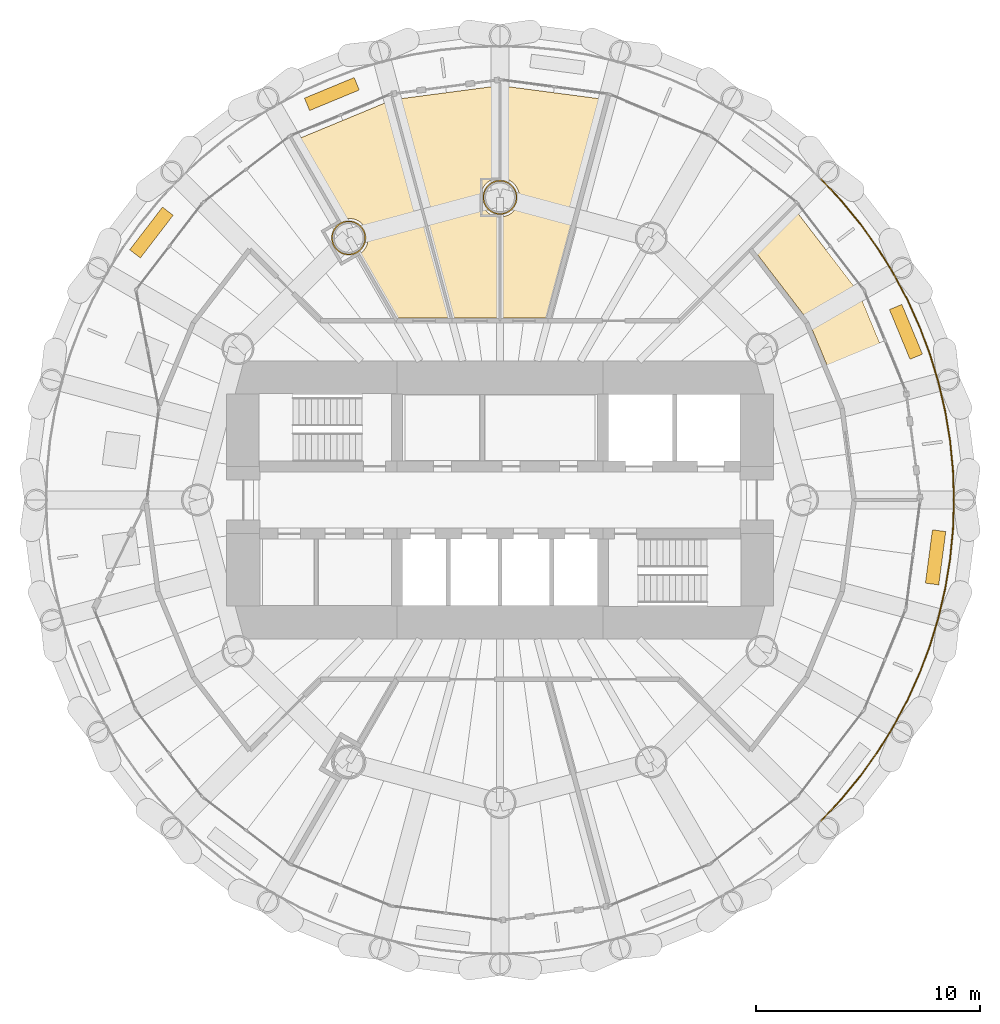
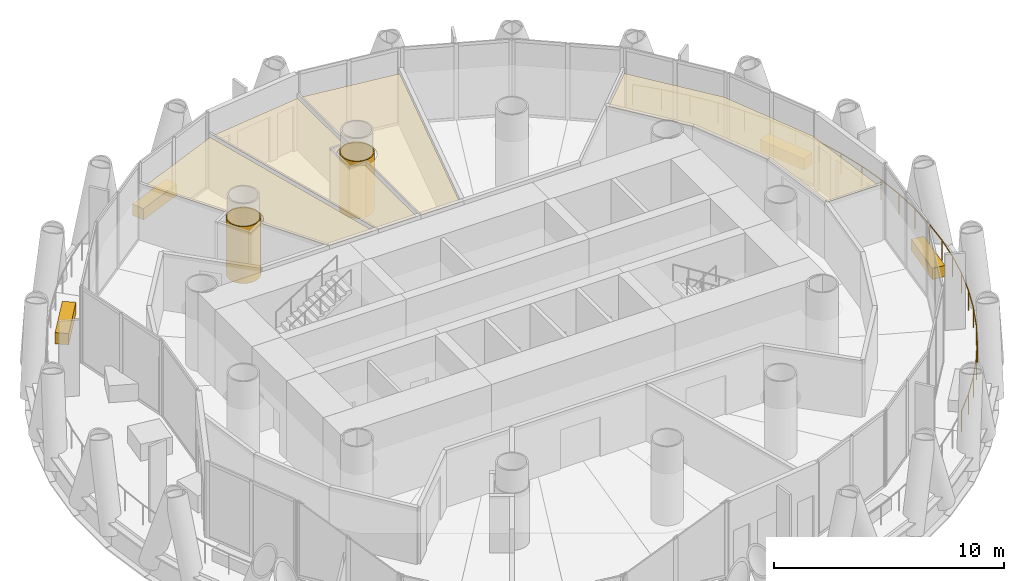
# One storey, part 14 of 15: 10 coverings, 1 railing.
"""IFC4 building model written with IfcOpenShell, lengths in metres."""

from ifc_helpers import new_model, si_unit, direction, frame, origin, origin_2d, place, context, subcontext, project, spatial, polyline, rectangle, circle, outline, extrude, material, layer, layer_set, type_object, element, save


model = new_model("IFC4")

# Units and contexts
model_context = context("Model", 3, precision=1e-05, world=origin(), true_north=direction((0.0, 1.0)))
body_context = subcontext(model_context, "Body", "Model", "MODEL_VIEW")
ifc_project = project(units=[si_unit("LENGTHUNIT", "METRE"), si_unit("AREAUNIT", "SQUARE_METRE"), si_unit("VOLUMEUNIT", "CUBIC_METRE"), si_unit("PLANEANGLEUNIT", "RADIAN"), si_unit("MASSUNIT", "GRAM", prefix="KILO")], contexts=[model_context])

# Site, building, storey
site_placement = place(None, origin())
site = spatial("IfcSite", under=ifc_project, at=site_placement, CompositionType="ELEMENT")
building_placement = place(site_placement, origin())
building = spatial("IfcBuilding", under=site, at=building_placement, Name="Qaws Media Tower", CompositionType="ELEMENT")
storey_placement = place(building_placement, frame((0.0, 0.0, 273.800048828125)))
storey = spatial("IfcBuildingStorey", under=building, at=storey_placement, Name="L63", CompositionType="ELEMENT", Elevation=273.800048828125)

# Covering
ifc_material_1 = material(Name="40 perforated acoustic panels with mineral wool backing, suspended", Category="mineral fibre")
ifc_layer_1 = layer(ifc_material_1, 0.0400390625)
ifc_layer_set_1 = layer_set([ifc_layer_1], Name="Acoustic panel ceiling 40")
covering_type_1 = type_object("IfcCoveringType", Name="Acoustic panel ceiling 40", PredefinedType="CEILING", material=ifc_layer_set_1)
covering_1_placement = place(storey_placement, frame((0.0, 0.0, 2.849853515625)))
element("IfcCovering", 1, at=covering_1_placement, inside=storey, type_object=covering_type_1, Name="CL3 ceiling L63-02 Boardroom", PredefinedType="CEILING", context=body_context, shape_type="SweptSolid", body=[
    extrude(outline(polyline([(76.0087890625, 59.24267578125), (77.85546875, 54.7841796875), (78.470458984375, 50.112548828125), (75.898681640625, 50.112548828125), (75.37109375, 54.11865234375), (73.781494140625, 57.956787109375), (71.321533203125, 61.16259765625), (73.14013671875, 62.98095703125), (76.0087890625, 59.24267578125)])), origin(), (0.0, 0.0, 1.0), 0.0400390625),
])

# Railing
ifc_material_2 = material(Name="Stainless steel and glass guard", Category="steel")
railing_type = type_object("IfcRailingType", Name="Balcony guard 1100", PredefinedType="GUARDRAIL", material=ifc_material_2)
railing_placement = place(storey_placement, frame((74.31884765625, 35.68115234375, 0.0)))
element("IfcRailing", 2, at=railing_placement, inside=storey, type_object=railing_type, Name="GR1 balcony guard L63-4", PredefinedType="GUARDRAIL", context=body_context, shape_type="SweptSolid", body=[
    extrude(circle(Radius=0.02392578125, at=origin_2d()), frame((0.0, 0.0, 1.076171875), z_axis=(0.683702082512, 0.729761236548, 0.0), x_axis=(-0.729761236548, 0.683702082512, 0.0)), (0.0, 0.0, 1.0), 1.3251953125),
    extrude(circle(Radius=0.02392578125, at=origin_2d()), frame((0.906005859375, 0.967041015625, 1.076171875), z_axis=(0.634330728024, 0.773061787624, 0.0), x_axis=(-0.773061787624, 0.634330728024, 0.0)), (0.0, 0.0, 1.0), 1.3251953125),
    extrude(circle(Radius=0.02392578125, at=origin_2d()), frame((1.74658203125, 1.991455078125, 1.076171875), z_axis=(0.582405323972, 0.812898541399, 0.0), x_axis=(-0.812898541399, 0.582405323972, 0.0)), (0.0, 0.0, 1.0), 1.324951171875),
    extrude(circle(Radius=0.02392578125, at=origin_2d()), frame((2.518310546875, 3.068603515625, 1.076171875), z_axis=(0.52819268128, 0.849124544129, 0.0), x_axis=(-0.849124544129, 0.52819268128, 0.0)), (0.0, 0.0, 1.0), 1.3251953125),
    extrude(circle(Radius=0.02392578125, at=origin_2d()), frame((3.21826171875, 4.19384765625, 1.076171875), z_axis=(0.471295733288, 0.881975244429, 0.0), x_axis=(-0.881975244429, 0.471295733288, 0.0)), (0.0, 0.0, 1.0), 1.3251953125),
    extrude(circle(Radius=0.02392578125, at=origin_2d()), frame((3.8427734375, 5.362548828125, 1.076171875), z_axis=(0.412692163403, 0.910870560654, 0.0), x_axis=(-0.910870560654, 0.412692163403, 0.0)), (0.0, 0.0, 1.0), 1.3251953125),
    extrude(circle(Radius=0.02392578125, at=origin_2d()), frame((4.3896484375, 6.569580078125, 1.076171875), z_axis=(0.352253822045, 0.935904506269, 0.0), x_axis=(-0.935904506269, 0.352253822045, 0.0)), (0.0, 0.0, 1.0), 1.3251953125),
    extrude(circle(Radius=0.02392578125, at=origin_2d()), frame((4.8564453125, 7.809814453125, 1.076171875), z_axis=(0.290355083771, 0.956918975321, 0.0), x_axis=(-0.956918975321, 0.290355083771, 0.0)), (0.0, 0.0, 1.0), 1.3251953125),
    extrude(circle(Radius=0.02392578125, at=origin_2d()), frame((5.2412109375, 9.077880859375, 1.076171875), z_axis=(0.227025724606, 0.973888761804, 0.0), x_axis=(-0.973888761804, 0.227025724606, 0.0)), (0.0, 0.0, 1.0), 1.324951171875),
    extrude(circle(Radius=0.02392578125, at=origin_2d()), frame((5.5419921875, 10.3681640625, 1.076171875), z_axis=(0.162845409119, 0.986651596425, 0.0), x_axis=(-0.986651596425, 0.162845409119, 0.0)), (0.0, 0.0, 1.0), 1.3251953125),
    extrude(circle(Radius=0.02392578125, at=origin_2d()), frame((5.7578125, 11.67578125, 1.076171875), z_axis=(0.098025887106, 0.995183865151, 0.0), x_axis=(-0.995183865151, 0.098025887106, 0.0)), (0.0, 0.0, 1.0), 1.324951171875),
    extrude(circle(Radius=0.02392578125, at=origin_2d()), frame((5.8876953125, 12.994384765625, 1.076171875), z_axis=(0.032793412525, 0.999462151407, 0.0), x_axis=(-0.999462151407, 0.032793412525, 0.0)), (0.0, 0.0, 1.0), 1.3251953125),
    extrude(circle(Radius=0.02392578125, at=origin_2d()), frame((5.93115234375, 14.31884765625, 1.076171875), z_axis=(-0.032793412525, 0.999462151407, 0.0), x_axis=(-0.999462151407, -0.032793412525, 0.0)), (0.0, 0.0, 1.0), 1.3251953125),
    extrude(circle(Radius=0.02392578125, at=origin_2d()), frame((5.8876953125, 15.643310546875, 1.076171875), z_axis=(-0.098025887106, 0.995183865151, 0.0), x_axis=(-0.995183865151, -0.098025887106, 0.0)), (0.0, 0.0, 1.0), 1.324951171875),
    extrude(circle(Radius=0.02392578125, at=origin_2d()), frame((5.7578125, 16.9619140625, 1.076171875), z_axis=(-0.162845409119, 0.986651596425, 0.0), x_axis=(-0.986651596425, -0.162845409119, 0.0)), (0.0, 0.0, 1.0), 1.3251953125),
    extrude(circle(Radius=0.02392578125, at=origin_2d()), frame((5.5419921875, 18.26953125, 1.076171875), z_axis=(-0.227025724606, 0.973888761804, 0.0), x_axis=(-0.973888761804, -0.227025724606, 0.0)), (0.0, 0.0, 1.0), 1.324951171875),
    extrude(circle(Radius=0.02392578125, at=origin_2d()), frame((5.2412109375, 19.559814453125, 1.076171875), z_axis=(-0.290355083771, 0.956918975321, 0.0), x_axis=(-0.956918975321, -0.290355083771, 0.0)), (0.0, 0.0, 1.0), 1.3251953125),
    extrude(circle(Radius=0.02392578125, at=origin_2d()), frame((4.8564453125, 20.827880859375, 1.076171875), z_axis=(-0.352253822045, 0.935904506269, 0.0), x_axis=(-0.935904506269, -0.352253822045, 0.0)), (0.0, 0.0, 1.0), 1.3251953125),
    extrude(circle(Radius=0.02392578125, at=origin_2d()), frame((4.3896484375, 22.068115234375, 1.076171875), z_axis=(-0.412692163403, 0.910870560654, 0.0), x_axis=(-0.910870560654, -0.412692163403, 0.0)), (0.0, 0.0, 1.0), 1.3251953125),
    extrude(circle(Radius=0.02392578125, at=origin_2d()), frame((3.8427734375, 23.275146484375, 1.076171875), z_axis=(-0.471295733288, 0.881975244429, 0.0), x_axis=(-0.881975244429, -0.471295733288, 0.0)), (0.0, 0.0, 1.0), 1.3251953125),
    extrude(circle(Radius=0.02392578125, at=origin_2d()), frame((3.21826171875, 24.44384765625, 1.076171875), z_axis=(-0.52819268128, 0.849124544129, 0.0), x_axis=(-0.849124544129, -0.52819268128, 0.0)), (0.0, 0.0, 1.0), 1.3251953125),
    extrude(circle(Radius=0.02392578125, at=origin_2d()), frame((2.518310546875, 25.569091796875, 1.076171875), z_axis=(-0.582405323972, 0.812898541399, 0.0), x_axis=(-0.812898541399, -0.582405323972, 0.0)), (0.0, 0.0, 1.0), 1.324951171875),
    extrude(circle(Radius=0.02392578125, at=origin_2d()), frame((1.74658203125, 26.646240234375, 1.076171875), z_axis=(-0.634330728024, 0.773061787624, 0.0), x_axis=(-0.773061787624, -0.634330728024, 0.0)), (0.0, 0.0, 1.0), 1.3251953125),
    extrude(circle(Radius=0.02392578125, at=origin_2d()), frame((0.906005859375, 27.670654296875, 1.076171875), z_axis=(-0.683702082512, 0.729761236548, 0.0), x_axis=(-0.729761236548, -0.683702082512, 0.0)), (0.0, 0.0, 1.0), 1.3251953125),
    extrude(circle(Radius=0.02099609375, at=origin_2d()), origin(), (0.0, 0.0, 1.0), 1.052001953125),
    extrude(circle(Radius=0.02099609375, at=origin_2d()), frame((0.906005859375, 0.967041015625, 0.0)), (0.0, 0.0, 1.0), 1.052001953125),
    extrude(circle(Radius=0.02099609375, at=origin_2d()), frame((1.74658203125, 1.991455078125, 0.0)), (0.0, 0.0, 1.0), 1.052001953125),
    extrude(circle(Radius=0.02099609375, at=origin_2d()), frame((2.518310546875, 3.068603515625, 0.0)), (0.0, 0.0, 1.0), 1.052001953125),
    extrude(circle(Radius=0.02099609375, at=origin_2d()), frame((3.21826171875, 4.19384765625, 0.0)), (0.0, 0.0, 1.0), 1.052001953125),
    extrude(circle(Radius=0.02099609375, at=origin_2d()), frame((3.8427734375, 5.362548828125, 0.0)), (0.0, 0.0, 1.0), 1.052001953125),
    extrude(circle(Radius=0.02099609375, at=origin_2d()), frame((4.3896484375, 6.569580078125, 0.0)), (0.0, 0.0, 1.0), 1.052001953125),
    extrude(circle(Radius=0.02099609375, at=origin_2d()), frame((4.8564453125, 7.809814453125, 0.0)), (0.0, 0.0, 1.0), 1.052001953125),
    extrude(circle(Radius=0.02099609375, at=origin_2d()), frame((5.2412109375, 9.077880859375, 0.0)), (0.0, 0.0, 1.0), 1.052001953125),
    extrude(circle(Radius=0.02099609375, at=origin_2d()), frame((5.5419921875, 10.3681640625, 0.0)), (0.0, 0.0, 1.0), 1.052001953125),
    extrude(circle(Radius=0.02099609375, at=origin_2d()), frame((5.7578125, 11.67578125, 0.0)), (0.0, 0.0, 1.0), 1.052001953125),
    extrude(circle(Radius=0.02099609375, at=origin_2d()), frame((5.8876953125, 12.994384765625, 0.0)), (0.0, 0.0, 1.0), 1.052001953125),
    extrude(circle(Radius=0.02099609375, at=origin_2d()), frame((5.93115234375, 14.31884765625, 0.0)), (0.0, 0.0, 1.0), 1.052001953125),
    extrude(circle(Radius=0.02099609375, at=origin_2d()), frame((5.8876953125, 15.643310546875, 0.0)), (0.0, 0.0, 1.0), 1.052001953125),
    extrude(circle(Radius=0.02099609375, at=origin_2d()), frame((5.7578125, 16.9619140625, 0.0)), (0.0, 0.0, 1.0), 1.052001953125),
    extrude(circle(Radius=0.02099609375, at=origin_2d()), frame((5.5419921875, 18.26953125, 0.0)), (0.0, 0.0, 1.0), 1.052001953125),
    extrude(circle(Radius=0.02099609375, at=origin_2d()), frame((5.2412109375, 19.559814453125, 0.0)), (0.0, 0.0, 1.0), 1.052001953125),
    extrude(circle(Radius=0.02099609375, at=origin_2d()), frame((4.8564453125, 20.827880859375, 0.0)), (0.0, 0.0, 1.0), 1.052001953125),
    extrude(circle(Radius=0.02099609375, at=origin_2d()), frame((4.3896484375, 22.068115234375, 0.0)), (0.0, 0.0, 1.0), 1.052001953125),
    extrude(circle(Radius=0.02099609375, at=origin_2d()), frame((3.8427734375, 23.275146484375, 0.0)), (0.0, 0.0, 1.0), 1.052001953125),
    extrude(circle(Radius=0.02099609375, at=origin_2d()), frame((3.21826171875, 24.44384765625, 0.0)), (0.0, 0.0, 1.0), 1.052001953125),
    extrude(circle(Radius=0.02099609375, at=origin_2d()), frame((2.518310546875, 25.569091796875, 0.0)), (0.0, 0.0, 1.0), 1.052001953125),
    extrude(circle(Radius=0.02099609375, at=origin_2d()), frame((1.74658203125, 26.646240234375, 0.0)), (0.0, 0.0, 1.0), 1.052001953125),
    extrude(circle(Radius=0.02099609375, at=origin_2d()), frame((0.906005859375, 27.670654296875, 0.0)), (0.0, 0.0, 1.0), 1.052001953125),
    extrude(circle(Radius=0.02099609375, at=origin_2d()), frame((0.0, 28.6376953125, 0.0)), (0.0, 0.0, 1.0), 1.052001953125),
])

# Coverings
ifc_material_3 = material(Name="Two layers 15 fire-rated gypsum board on steel framing", Category="steel")
ifc_layer_2 = layer(ifc_material_3, 0.050048828125)
ifc_layer_set_2 = layer_set([ifc_layer_2], Name="Column fire casing")
covering_type_2 = type_object("IfcCoveringType", Name="Column fire casing", PredefinedType="CLADDING", material=ifc_layer_set_2)
covering_2_placement = place(storey_placement, origin())
element("IfcCovering", 3, at=covering_2_placement, inside=storey, type_object=covering_type_2, Name="CC1 column casing L63", PredefinedType="CLADDING", context=body_context, shape_type="SweptSolid", body=[
    extrude(outline(polyline([(60.76611328125, 63.5), (60.759521484375, 63.39990234375), (60.739990234375, 63.3017578125), (60.707763671875, 63.206787109375), (60.663330078125, 63.116943359375), (60.607666015625, 63.03369140625), (60.54150390625, 62.95849609375), (60.46630859375, 62.892333984375), (60.383056640625, 62.836669921875), (60.293212890625, 62.792236328125), (60.1982421875, 62.760009765625), (60.10009765625, 62.740478515625), (60.0, 62.73388671875), (59.89990234375, 62.740478515625), (59.8017578125, 62.760009765625), (59.706787109375, 62.792236328125), (59.616943359375, 62.836669921875), (59.53369140625, 62.892333984375), (59.45849609375, 62.95849609375), (59.392333984375, 63.03369140625), (59.336669921875, 63.116943359375), (59.292236328125, 63.206787109375), (59.260009765625, 63.3017578125), (59.240478515625, 63.39990234375), (59.23388671875, 63.5), (59.240478515625, 63.60009765625), (59.260009765625, 63.6982421875), (59.292236328125, 63.793212890625), (59.336669921875, 63.883056640625), (59.392333984375, 63.96630859375), (59.45849609375, 64.04150390625), (59.53369140625, 64.107666015625), (59.616943359375, 64.163330078125), (59.706787109375, 64.207763671875), (59.8017578125, 64.239990234375), (59.89990234375, 64.259521484375), (60.0, 64.26611328125), (60.10009765625, 64.259521484375), (60.1982421875, 64.239990234375), (60.293212890625, 64.207763671875), (60.383056640625, 64.163330078125), (60.46630859375, 64.107666015625), (60.54150390625, 64.04150390625), (60.607666015625, 63.96630859375), (60.663330078125, 63.883056640625), (60.707763671875, 63.793212890625), (60.739990234375, 63.6982421875), (60.759521484375, 63.60009765625), (60.76611328125, 63.5)]), holes=[polyline([(60.714111328125, 63.5), (60.7080078125, 63.40673828125), (60.689697265625, 63.315185546875), (60.65966796875, 63.226806640625), (60.618408203125, 63.14306640625), (60.56640625, 63.065185546875), (60.5048828125, 62.9951171875), (60.434814453125, 62.93359375), (60.35693359375, 62.881591796875), (60.273193359375, 62.84033203125), (60.184814453125, 62.810302734375), (60.09326171875, 62.7919921875), (60.0, 62.785888671875), (59.90673828125, 62.7919921875), (59.815185546875, 62.810302734375), (59.726806640625, 62.84033203125), (59.64306640625, 62.881591796875), (59.565185546875, 62.93359375), (59.4951171875, 62.9951171875), (59.43359375, 63.065185546875), (59.381591796875, 63.14306640625), (59.34033203125, 63.226806640625), (59.310302734375, 63.315185546875), (59.2919921875, 63.40673828125), (59.285888671875, 63.5), (59.2919921875, 63.59326171875), (59.310302734375, 63.684814453125), (59.34033203125, 63.773193359375), (59.381591796875, 63.85693359375), (59.43359375, 63.934814453125), (59.4951171875, 64.0048828125), (59.565185546875, 64.06640625), (59.64306640625, 64.118408203125), (59.726806640625, 64.15966796875), (59.815185546875, 64.189697265625), (59.90673828125, 64.2080078125), (60.0, 64.214111328125), (60.09326171875, 64.2080078125), (60.184814453125, 64.189697265625), (60.273193359375, 64.15966796875), (60.35693359375, 64.118408203125), (60.434814453125, 64.06640625), (60.5048828125, 64.0048828125), (60.56640625, 63.934814453125), (60.618408203125, 63.85693359375), (60.65966796875, 63.773193359375), (60.689697265625, 63.684814453125), (60.7080078125, 63.59326171875), (60.714111328125, 63.5)])]), origin(), (0.0, 0.0, 1.0), 3.02001953125),
])
covering_3_placement = place(storey_placement, origin())
element("IfcCovering", 4, at=covering_3_placement, inside=storey, type_object=covering_type_2, Name="CC1 column casing L63", PredefinedType="CLADDING", context=body_context, shape_type="SweptSolid", body=[
    extrude(outline(polyline([(54.01611328125, 61.69140625), (54.009521484375, 61.59130859375), (53.989990234375, 61.4931640625), (53.957763671875, 61.398193359375), (53.913330078125, 61.308349609375), (53.857666015625, 61.22509765625), (53.79150390625, 61.149658203125), (53.71630859375, 61.08349609375), (53.633056640625, 61.028076171875), (53.543212890625, 60.983642578125), (53.4482421875, 60.951416015625), (53.35009765625, 60.931884765625), (53.25, 60.92529296875), (53.14990234375, 60.931884765625), (53.0517578125, 60.951416015625), (52.956787109375, 60.983642578125), (52.866943359375, 61.028076171875), (52.78369140625, 61.08349609375), (52.70849609375, 61.149658203125), (52.642333984375, 61.22509765625), (52.586669921875, 61.308349609375), (52.542236328125, 61.398193359375), (52.510009765625, 61.4931640625), (52.490478515625, 61.59130859375), (52.48388671875, 61.69140625), (52.490478515625, 61.791259765625), (52.510009765625, 61.8896484375), (52.542236328125, 61.984619140625), (52.586669921875, 62.07421875), (52.642333984375, 62.15771484375), (52.70849609375, 62.23291015625), (52.78369140625, 62.299072265625), (52.866943359375, 62.354736328125), (52.956787109375, 62.39892578125), (53.0517578125, 62.43115234375), (53.14990234375, 62.45068359375), (53.25, 62.457275390625), (53.35009765625, 62.45068359375), (53.4482421875, 62.43115234375), (53.543212890625, 62.39892578125), (53.633056640625, 62.354736328125), (53.71630859375, 62.299072265625), (53.79150390625, 62.23291015625), (53.857666015625, 62.15771484375), (53.913330078125, 62.07421875), (53.957763671875, 61.984619140625), (53.989990234375, 61.8896484375), (54.009521484375, 61.791259765625), (54.01611328125, 61.69140625)]), holes=[polyline([(53.964111328125, 61.69140625), (53.9580078125, 61.59814453125), (53.939697265625, 61.506591796875), (53.90966796875, 61.418212890625), (53.868408203125, 61.334228515625), (53.81640625, 61.256591796875), (53.7548828125, 61.1865234375), (53.684814453125, 61.125), (53.60693359375, 61.072998046875), (53.523193359375, 61.03173828125), (53.434814453125, 61.001708984375), (53.34326171875, 60.9833984375), (53.25, 60.977294921875), (53.15673828125, 60.9833984375), (53.065185546875, 61.001708984375), (52.976806640625, 61.03173828125), (52.89306640625, 61.072998046875), (52.815185546875, 61.125), (52.7451171875, 61.1865234375), (52.68359375, 61.256591796875), (52.631591796875, 61.334228515625), (52.59033203125, 61.418212890625), (52.560302734375, 61.506591796875), (52.5419921875, 61.59814453125), (52.535888671875, 61.69140625), (52.5419921875, 61.784423828125), (52.560302734375, 61.876220703125), (52.59033203125, 61.964599609375), (52.631591796875, 62.04833984375), (52.68359375, 62.1259765625), (52.7451171875, 62.1962890625), (52.815185546875, 62.2578125), (52.89306640625, 62.309814453125), (52.976806640625, 62.35107421875), (53.065185546875, 62.381103515625), (53.15673828125, 62.399169921875), (53.25, 62.4052734375), (53.34326171875, 62.399169921875), (53.434814453125, 62.381103515625), (53.523193359375, 62.35107421875), (53.60693359375, 62.309814453125), (53.684814453125, 62.2578125), (53.7548828125, 62.1962890625), (53.81640625, 62.1259765625), (53.868408203125, 62.04833984375), (53.90966796875, 61.964599609375), (53.939697265625, 61.876220703125), (53.9580078125, 61.784423828125), (53.964111328125, 61.69140625)])]), origin(), (0.0, 0.0, 1.0), 3.02001953125),
])
ifc_material_4 = material(Name="Precast concrete planter with trailing planting", Category="concrete")
ifc_layer_3 = layer(ifc_material_4, 0.60009765625)
ifc_layer_set_3 = layer_set([ifc_layer_3], Name="Planter 2400x600")
covering_type_3 = type_object("IfcCoveringType", Name="Planter 2400x600", PredefinedType="USERDEFINED", material=ifc_layer_set_3)
for number, where, z_axis, x_axis, name in (
    (5, (78.108154296875, 57.50048828125, 0.0), (0.0, 0.0, 1.0), (-0.382683432365, 0.923879532511, 0.0), "PL1 balcony planter L63-01"),
    (6, (52.49951171875, 68.108154296875, 0.0), (0.0, 0.0, 1.0), (-0.923879532511, -0.382683432365, 0.0), "PL1 balcony planter L63-04"),
    (7, (44.4501953125, 61.931640625, 0.0), (0.0, 0.0, 1.0), (-0.608761429009, -0.793353340291, 0.0), "PL1 balcony planter L63-05"),
    (8, (79.432373046875, 47.441650390625, 0.0), (0.0, 0.0, 1.0), (0.13052619222, 0.991444861374, 0.0), "PL1 balcony planter L63-12"),
):
    element("IfcCovering", number, at=place(storey_placement, frame(where, z_axis=z_axis, x_axis=x_axis)), inside=storey, type_object=covering_type_3, Name=name, ObjectType="PLANTER", PredefinedType="USERDEFINED", context=body_context, shape_type="SweptSolid", body=[
        extrude(rectangle(XDim=2.39990234375, YDim=0.60009765625, at=origin_2d()), origin(), (0.0, 0.0, 1.0), 0.60009765625),
    ])
ifc_material_5 = material(Name="Two layers 12.5 moisture-resistant plasterboard on suspended metal furring", Category="gypsum")
ifc_layer_4 = layer(ifc_material_5, 0.02490234375)
ifc_layer_set_4 = layer_set([ifc_layer_4], Name="Plasterboard ceiling 25")
covering_type_4 = type_object("IfcCoveringType", Name="Plasterboard ceiling 25", PredefinedType="CEILING", material=ifc_layer_set_4)
covering_4_placement = place(storey_placement, frame((0.0, 0.0, 2.849853515625)))
element("IfcCovering", 9, at=covering_4_placement, inside=storey, type_object=covering_type_4, Name="CL2 ceiling L63-04 Executive office", PredefinedType="CEILING", context=body_context, shape_type="SweptSolid", body=[
    extrude(outline(polyline([(64.671875, 67.8701171875), (62.057373046875, 58.112548828125), (60.112548828125, 58.112548828125), (60.112548828125, 62.636474609375), (60.225341796875, 62.65869140625), (60.333251953125, 62.6953125), (60.435546875, 62.74560546875), (60.5302734375, 62.80908203125), (60.615966796875, 62.884033203125), (60.69091796875, 62.9697265625), (60.75439453125, 63.064453125), (60.8046875, 63.166748046875), (60.84130859375, 63.274658203125), (60.863525390625, 63.38623046875), (60.87109375, 63.5), (60.863525390625, 63.61376953125), (60.84130859375, 63.725341796875), (60.8046875, 63.833251953125), (60.75439453125, 63.935546875), (60.69091796875, 64.0302734375), (60.615966796875, 64.115966796875), (60.5302734375, 64.19091796875), (60.435546875, 64.25439453125), (60.333251953125, 64.3046875), (60.225341796875, 64.34130859375), (60.112548828125, 64.363525390625), (60.112548828125, 68.470458984375), (64.671875, 67.8701171875)])), origin(), (0.0, 0.0, 1.0), 0.025146484375),
])
covering_5_placement = place(storey_placement, frame((0.0, 0.0, 2.849853515625)))
element("IfcCovering", 10, at=covering_5_placement, inside=storey, type_object=covering_type_4, Name="CL2 ceiling L63-05 Executive office", PredefinedType="CEILING", context=body_context, shape_type="SweptSolid", body=[
    extrude(outline(polyline([(59.887451171875, 68.470458984375), (59.887451171875, 64.363525390625), (59.774658203125, 64.34130859375), (59.666748046875, 64.3046875), (59.564453125, 64.25439453125), (59.4697265625, 64.19091796875), (59.384033203125, 64.115966796875), (59.30908203125, 64.0302734375), (59.24560546875, 63.935546875), (59.1953125, 63.833251953125), (59.15869140625, 63.725341796875), (59.136474609375, 63.61376953125), (59.12890625, 63.5), (59.136474609375, 63.38623046875), (59.15869140625, 63.274658203125), (59.1953125, 63.166748046875), (59.24560546875, 63.064453125), (59.30908203125, 62.9697265625), (59.384033203125, 62.884033203125), (59.4697265625, 62.80908203125), (59.564453125, 62.74560546875), (59.666748046875, 62.6953125), (59.774658203125, 62.65869140625), (59.887451171875, 62.636474609375), (59.887451171875, 58.112548828125), (57.942626953125, 58.112548828125), (55.328125, 67.8701171875), (59.887451171875, 68.470458984375)])), origin(), (0.0, 0.0, 1.0), 0.025146484375),
])
covering_6_placement = place(storey_placement, frame((0.0, 0.0, 2.849853515625)))
element("IfcCovering", 11, at=covering_6_placement, inside=storey, type_object=covering_type_4, Name="CL2 ceiling L63-06 Executive office", PredefinedType="CEILING", context=body_context, shape_type="SweptSolid", body=[
    extrude(outline(polyline([(55.11083984375, 67.81201171875), (57.709716796875, 58.112548828125), (55.446044921875, 58.112548828125), (53.779296875, 60.999755859375), (53.865966796875, 61.075439453125), (53.94091796875, 61.1611328125), (54.00439453125, 61.255859375), (54.0546875, 61.35791015625), (54.09130859375, 61.4658203125), (54.113525390625, 61.57763671875), (54.12109375, 61.69140625), (54.113525390625, 61.804931640625), (54.09130859375, 61.916748046875), (54.0546875, 62.024658203125), (54.00439453125, 62.126708984375), (53.94091796875, 62.2216796875), (53.865966796875, 62.30712890625), (53.7802734375, 62.38232421875), (53.685546875, 62.44580078125), (53.583251953125, 62.49609375), (53.475341796875, 62.53271484375), (53.36376953125, 62.554931640625), (53.25, 62.562255859375), (53.13623046875, 62.554931640625), (53.024658203125, 62.53271484375), (52.91552734375, 62.49560546875), (50.8623046875, 66.052001953125), (55.11083984375, 67.81201171875)])), origin(), (0.0, 0.0, 1.0), 0.025146484375),
])

save(model, "model.ifc")
